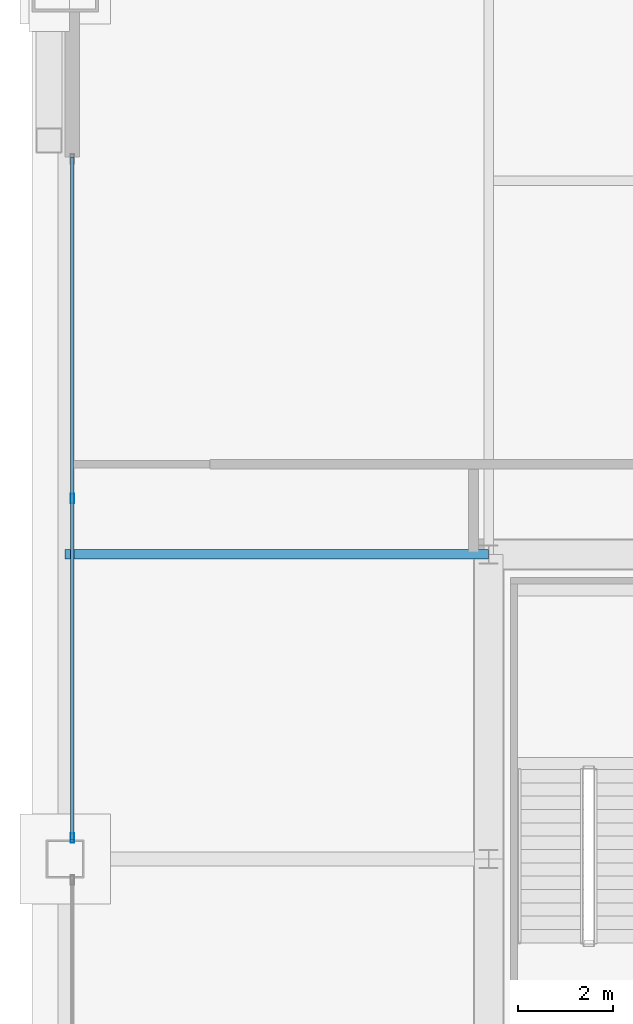
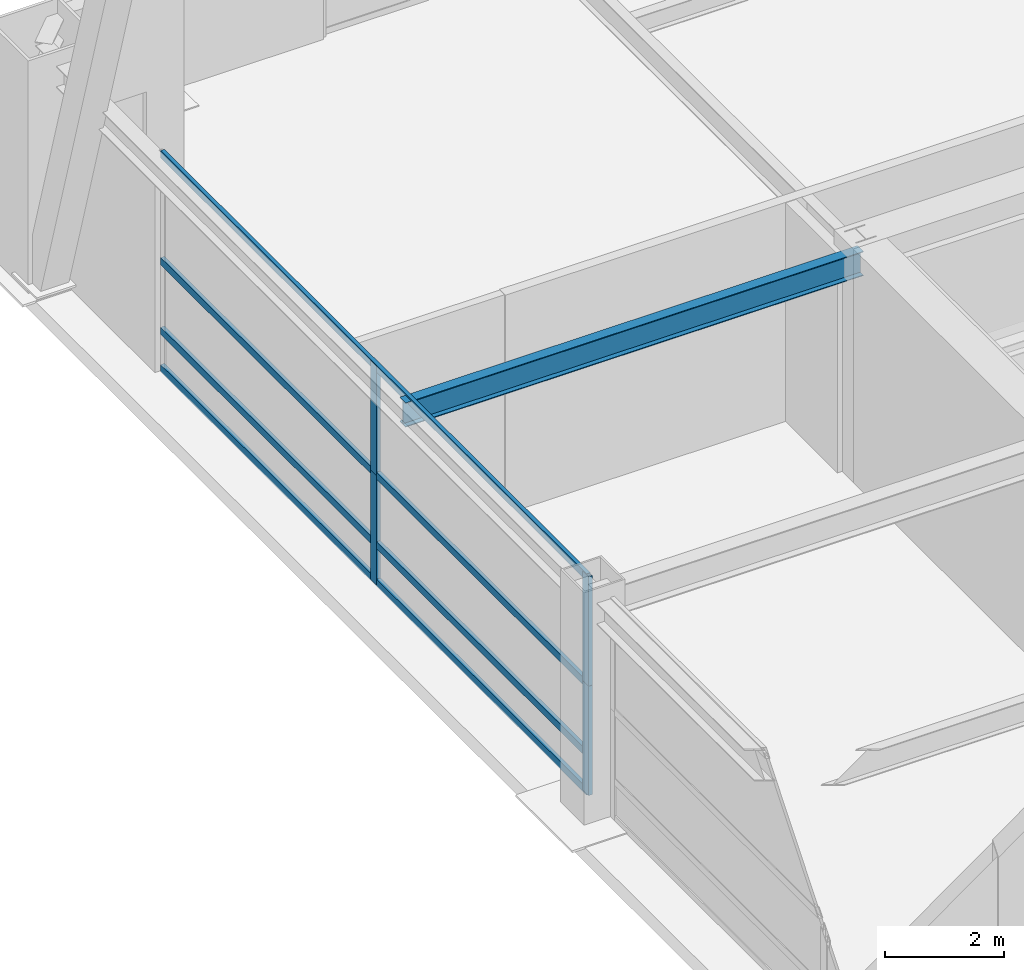
# One storey, part 12 of 34: 8 members, 1 beam, 1 element without a shape of its own.
"""IFC4 building model written with IfcOpenShell, lengths in metres."""

from ifc_helpers import new_model, si_unit, direction, frame, origin, origin_2d, place, context, subcontext, project, spatial, hollow_rectangle, i_section, extrude, source, transform, mapped, material, layer, layer_set, material_profile, profile_set, type_object, element, aggregate, save


model = new_model("IFC4")

# Units and contexts
model_context = context("Model", 3, precision=1e-05, world=origin(), true_north=direction((0.0, 1.0)))
body_context = subcontext(model_context, "Body", "Model", "MODEL_VIEW")
ifc_project = project(units=[si_unit("LENGTHUNIT", "METRE"), si_unit("AREAUNIT", "SQUARE_METRE"), si_unit("VOLUMEUNIT", "CUBIC_METRE"), si_unit("PLANEANGLEUNIT", "RADIAN"), si_unit("MASSUNIT", "GRAM", prefix="KILO"), si_unit("THERMODYNAMICTEMPERATUREUNIT", "KELVIN"), si_unit("POWERUNIT", "WATT")], contexts=[model_context])

# Site, building, storey
site_placement = place(None, origin())
site = spatial("IfcSite", under=ifc_project, at=site_placement, CompositionType="ELEMENT")
building_placement = place(site_placement, origin())
building = spatial("IfcBuilding", under=site, at=building_placement, Name="Yuzanri Waterfront Tower", CompositionType="ELEMENT")
storey_placement = place(building_placement, frame((0.0, 0.0, 166.800048828125)))
storey = spatial("IfcBuildingStorey", under=building, at=storey_placement, Name="L44", CompositionType="ELEMENT", Elevation=166.800048828125)

# Beam
ifc_material_1 = material(Name="Steel Q355B", Category="steel")
ifc_material_profile_1 = material_profile(ifc_material_1, i_section(OverallWidth=0.199951171875, OverallDepth=0.5, WebThickness=0.010009765625, FlangeThickness=0.01611328125, at=origin_2d()), Name="HN 500x200x10x16")
ifc_profile_set_1 = profile_set([ifc_material_profile_1], Name="Steel Q355B")
beam_type = type_object("IfcBeamType", Name="Secondary Floor Beam Q355B HN 500x200", PredefinedType="BEAM", material=ifc_profile_set_1)
shared_shape_1 = source(origin(), body_context, "Body", "SweptSolid", [
    extrude(i_section(OverallWidth=0.199951171875, OverallDepth=0.5, WebThickness=0.010009765625, FlangeThickness=0.01611328125, at=origin_2d()), origin(), (0.0, 0.0, 1.0), 8.900146484375),
])
beam_placement = place(storey_placement, frame((23.800048828125, 32.199951171875, 4.25), z_axis=(-1.0, 0.0, 0.0), x_axis=(0.0, -1.0, 0.0)))
element("IfcBeam", 1, at=beam_placement, inside=storey, type_object=beam_type, Name="L44 West-North Core Line Beam", PredefinedType="BEAM", context=body_context, shape_type="MappedRepresentation", body=[
    mapped(shared_shape_1, transform((0.0, 0.0, 0.0), scale=1.0)),
])

# Curtain wall, members
ifc_material_2 = material(Name="Anodized Architectural Bronze", Category="metal")
ifc_layer = layer(ifc_material_2, 0.159912109375)
ifc_layer_set = layer_set([ifc_layer], Name="Anodized Architectural Bronze")
curtain_wall_type = type_object("IfcCurtainWallType", Name="Anodized Bronze Sky-Lobby Triple-Glazed Feature Curtain Wall 7500", PredefinedType="NOTDEFINED", material=ifc_layer_set)
curtain_wall_placement = place(storey_placement, origin())
curtain_wall = element("IfcCurtainWall", 2, at=curtain_wall_placement, inside=storey, type_object=curtain_wall_type, Name="L44 Curtain Wall CW-L44-WR", PredefinedType="NOTDEFINED")
ifc_material_3 = material(Name="Anodized Architectural Bronze", Category="metal")
ifc_material_profile_2 = material_profile(ifc_material_3, hollow_rectangle(XDim=0.074951171875, YDim=0.199951171875, WallThickness=0.00390625, at=origin_2d()), Name="CWM 75x200")
ifc_profile_set_2 = profile_set([ifc_material_profile_2], Name="Anodized Architectural Bronze")
member_type_1 = type_object("IfcMemberType", Name="Anodized Bronze Primary Curtain-Wall Mullion 75x200", PredefinedType="MULLION", material=ifc_profile_set_2)
shared_shape_2 = source(origin(), body_context, "Body", "SweptSolid", [
    extrude(hollow_rectangle(XDim=0.074951171875, YDim=0.199951171875, WallThickness=0.00390625, at=origin_2d()), origin(), (0.0, 0.0, 1.0), 2.248046875),
])
member_1_placement = place(storey_placement, frame((15.050048828125, 26.239990234375, 0.0), z_axis=(0.0, 0.0, 1.0), x_axis=(1.0, 0.0, 0.0)))
member_1 = element("IfcMember", 3, at=member_1_placement, type_object=member_type_1, Name="CW-L44-WR Lower Mullion 00", PredefinedType="MULLION", context=body_context, shape_type="MappedRepresentation", body=[
    mapped(shared_shape_2, transform((0.0, 0.0, 0.0), scale=1.0)),
])
member_2_placement = place(storey_placement, frame((15.050048828125, 26.239990234375, 2.251953125), z_axis=(0.0, 0.0, 1.0), x_axis=(1.0, 0.0, 0.0)))
member_2 = element("IfcMember", 4, at=member_2_placement, type_object=member_type_1, Name="CW-L44-WR Upper Mullion 00", PredefinedType="MULLION", context=body_context, shape_type="MappedRepresentation", body=[
    mapped(shared_shape_2, transform((0.0, 0.0, 0.0), scale=1.0)),
])
member_3_placement = place(storey_placement, frame((15.050048828125, 33.375, 0.0), z_axis=(0.0, 0.0, 1.0), x_axis=(1.0, 0.0, 0.0)))
member_3 = element("IfcMember", 5, at=member_3_placement, type_object=member_type_1, Name="CW-L44-WR Lower Mullion 01", PredefinedType="MULLION", context=body_context, shape_type="MappedRepresentation", body=[
    mapped(shared_shape_2, transform((0.0, 0.0, 0.0), scale=1.0)),
])
member_4_placement = place(storey_placement, frame((15.050048828125, 33.375, 2.251953125), z_axis=(0.0, 0.0, 1.0), x_axis=(1.0, 0.0, 0.0)))
member_4 = element("IfcMember", 6, at=member_4_placement, type_object=member_type_1, Name="CW-L44-WR Upper Mullion 01", PredefinedType="MULLION", context=body_context, shape_type="MappedRepresentation", body=[
    mapped(shared_shape_2, transform((0.0, 0.0, 0.0), scale=1.0)),
])
ifc_material_4 = material(Name="Anodized Architectural Bronze", Category="metal")
ifc_material_profile_3 = material_profile(ifc_material_4, hollow_rectangle(XDim=0.074951171875, YDim=0.14990234375, WallThickness=0.00390625, at=origin_2d()), Name="CWT 75x150")
ifc_profile_set_3 = profile_set([ifc_material_profile_3], Name="Anodized Architectural Bronze")
member_type_2 = type_object("IfcMemberType", Name="Anodized Bronze Primary Curtain-Wall Transom 75x150", PredefinedType="USERDEFINED", material=ifc_profile_set_3)
shared_shape_3 = source(origin(), body_context, "Body", "SweptSolid", [
    extrude(hollow_rectangle(XDim=0.074951171875, YDim=0.14990234375, WallThickness=0.00390625, at=origin_2d()), origin(), (0.0, 0.0, 1.0), 14.35009765625),
])
member_5_placement = place(storey_placement, frame((15.050048828125, 26.199951171875, 0.050048828125), z_axis=(0.0, 1.0, 0.0), x_axis=(-1.0, 0.0, 0.0)))
member_5 = element("IfcMember", 7, at=member_5_placement, type_object=member_type_2, Name="CW-L44-WR Transom 1", ObjectType="TRANSOM", PredefinedType="USERDEFINED", context=body_context, shape_type="MappedRepresentation", body=[
    mapped(shared_shape_3, transform((0.0, 0.0, 0.0), scale=1.0)),
])
member_6_placement = place(storey_placement, frame((15.050048828125, 26.199951171875, 0.820068359375), z_axis=(0.0, 1.0, 0.0), x_axis=(-1.0, 0.0, 0.0)))
member_6 = element("IfcMember", 8, at=member_6_placement, type_object=member_type_2, Name="CW-L44-WR Transom 2", ObjectType="TRANSOM", PredefinedType="USERDEFINED", context=body_context, shape_type="MappedRepresentation", body=[
    mapped(shared_shape_3, transform((0.0, 0.0, 0.0), scale=1.0)),
])
member_7_placement = place(storey_placement, frame((15.050048828125, 26.199951171875, 2.25), z_axis=(0.0, 1.0, 0.0), x_axis=(-1.0, 0.0, 0.0)))
member_7 = element("IfcMember", 9, at=member_7_placement, type_object=member_type_2, Name="CW-L44-WR Transom 3", ObjectType="TRANSOM", PredefinedType="USERDEFINED", context=body_context, shape_type="MappedRepresentation", body=[
    mapped(shared_shape_3, transform((0.0, 0.0, 0.0), scale=1.0)),
])
member_8_placement = place(storey_placement, frame((15.050048828125, 26.199951171875, 4.449951171875), z_axis=(0.0, 1.0, 0.0), x_axis=(-1.0, 0.0, 0.0)))
member_8 = element("IfcMember", 10, at=member_8_placement, type_object=member_type_2, Name="CW-L44-WR Transom 4", ObjectType="TRANSOM", PredefinedType="USERDEFINED", context=body_context, shape_type="MappedRepresentation", body=[
    mapped(shared_shape_3, transform((0.0, 0.0, 0.0), scale=1.0)),
])
aggregate(curtain_wall, [member_1, member_2, member_3, member_4, member_5, member_6, member_7, member_8])

save(model, "model.ifc")
